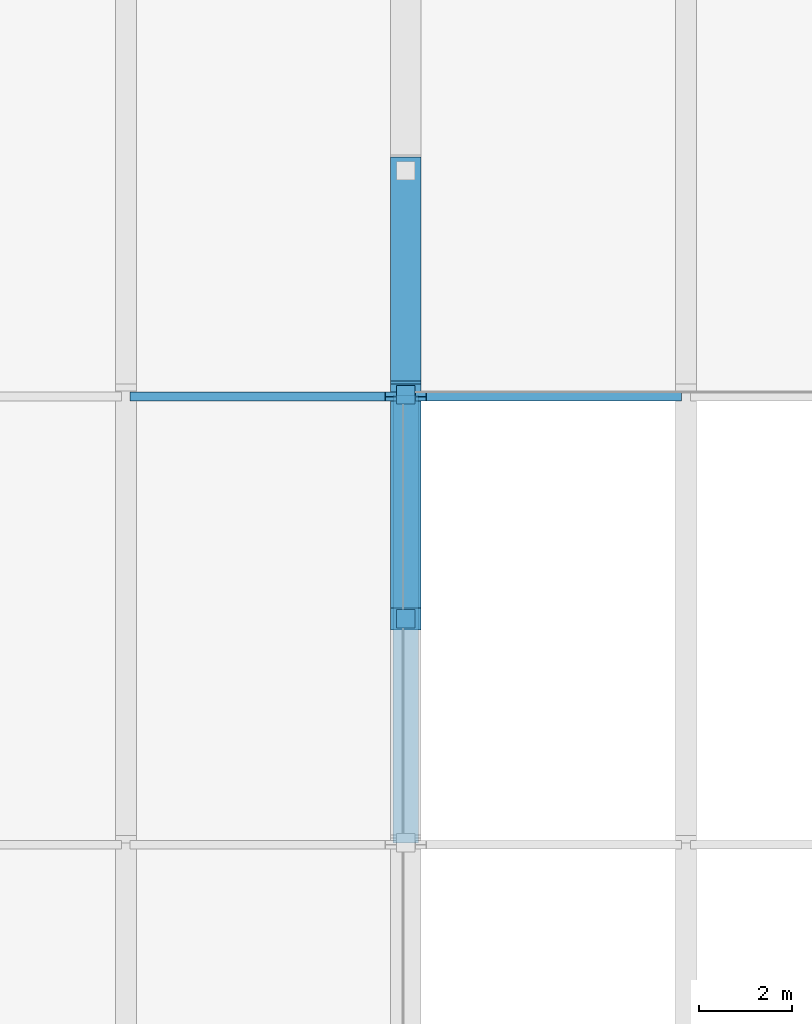
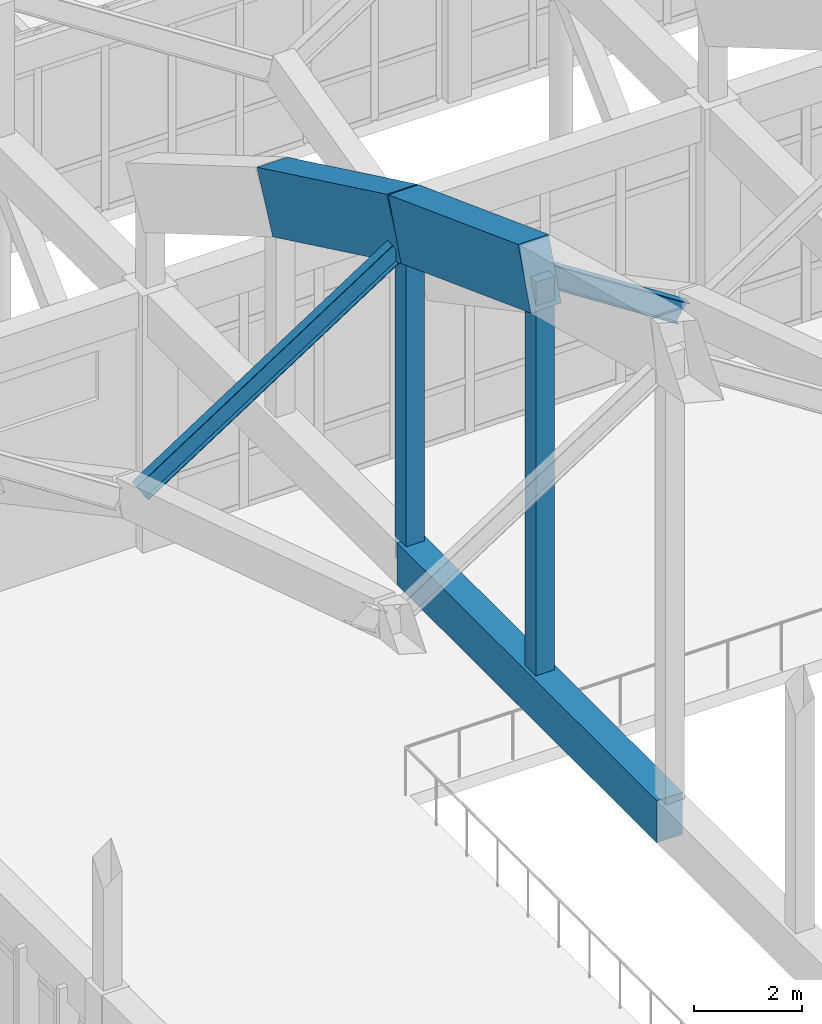
# One storey, part 69 of 236: 4 members, 3 beams.
"""IFC4 building model written with IfcOpenShell, lengths in metres."""

from ifc_helpers import new_model, si_unit, direction, frame, origin, origin_2d, place, context, subcontext, project, spatial, rectangle, i_section, extrude, material, material_profile, profile_set, type_object, element, save


model = new_model("IFC4")

# Units and contexts
model_context = context("Model", 3, precision=1e-05, world=origin(), true_north=direction((0.0, 1.0)))
body_context = subcontext(model_context, "Body", "Model", "MODEL_VIEW")
ifc_project = project(units=[si_unit("LENGTHUNIT", "METRE"), si_unit("AREAUNIT", "SQUARE_METRE"), si_unit("VOLUMEUNIT", "CUBIC_METRE"), si_unit("PLANEANGLEUNIT", "RADIAN"), si_unit("MASSUNIT", "GRAM", prefix="KILO")], contexts=[model_context])

# Site, building, storey
site_placement = place(None, origin())
site = spatial("IfcSite", under=ifc_project, at=site_placement, CompositionType="ELEMENT")
building_placement = place(site_placement, origin())
building = spatial("IfcBuilding", under=site, at=building_placement, Name="Pandanus Reach Market Hall", CompositionType="ELEMENT")
storey_placement = place(building_placement, frame((0.0, 0.0, 5.39990234375)))
storey = spatial("IfcBuildingStorey", under=building, at=storey_placement, Name="L01", CompositionType="ELEMENT", Elevation=5.39990234375)

# Members
ifc_material_1 = material(Name="Concrete N50 (50 MPa)", Category="concrete")
ifc_material_profile_1 = material_profile(ifc_material_1, rectangle(XDim=0.64990234375, YDim=1.35009765625, at=origin_2d()), Name="RC650x1350", Category="LoadBearing")
ifc_profile_set_1 = profile_set([ifc_material_profile_1], Name="Concrete N50 (50 MPa)")
member_type_1 = type_object("IfcMemberType", Name="AR-RC650-E", PredefinedType="CHORD", material=ifc_profile_set_1)
member_1_placement = place(storey_placement, frame((60.0, 72.0, 14.68017578125), z_axis=(0.0, 0.937030438748, -0.349247701294), x_axis=(-1.0, 0.0, 0.0)))
element("IfcMember", 1, at=member_1_placement, inside=storey, type_object=member_type_1, Name="Parabolic arch top chord A2.10", PredefinedType="CHORD", context=body_context, shape_type="SweptSolid", body=[
    extrude(rectangle(XDim=0.64990234375, YDim=1.35009765625, at=origin_2d()), origin(), (0.0, 0.0, 1.0), 5.12255859375),
])
member_2_placement = place(storey_placement, frame((60.0, 76.800048828125, 12.89111328125), z_axis=(0.0, 0.901832040997, -0.432086761924), x_axis=(-1.0, 0.0, 0.0)))
element("IfcMember", 2, at=member_2_placement, inside=storey, type_object=member_type_1, Name="Parabolic arch top chord A2.11", PredefinedType="CHORD", context=body_context, shape_type="SweptSolid", body=[
    extrude(rectangle(XDim=0.64990234375, YDim=1.35009765625, at=origin_2d()), origin(), (0.0, 0.0, 1.0), 5.322509765625),
])
ifc_material_profile_2 = material_profile(ifc_material_1, rectangle(XDim=0.39990234375, YDim=0.39990234375, at=origin_2d()), Name="RC400x400", Category="LoadBearing")
ifc_profile_set_2 = profile_set([ifc_material_profile_2], Name="Concrete N50 (50 MPa)")
member_type_2 = type_object("IfcMemberType", Name="AR-WEB400-E", PredefinedType="STRUT", material=ifc_profile_set_2)
member_3_placement = place(storey_placement, frame((60.0, 72.0, 5.3251953125), z_axis=(0.0, 0.0, 1.0), x_axis=(1.0, 0.0, 0.0)))
element("IfcMember", 3, at=member_3_placement, inside=storey, type_object=member_type_2, Name="Arch truss vertical web strut A2.9", PredefinedType="STRUT", context=body_context, shape_type="SweptSolid", body=[
    extrude(rectangle(XDim=0.39990234375, YDim=0.39990234375, at=origin_2d()), origin(), (0.0, 0.0, 1.0), 9.35498046875),
])
member_4_placement = place(storey_placement, frame((60.0, 76.800048828125, 5.3251953125), z_axis=(0.0, 0.0, 1.0), x_axis=(1.0, 0.0, 0.0)))
element("IfcMember", 4, at=member_4_placement, inside=storey, type_object=member_type_2, Name="Arch truss vertical web strut A2.10", PredefinedType="STRUT", context=body_context, shape_type="SweptSolid", body=[
    extrude(rectangle(XDim=0.39990234375, YDim=0.39990234375, at=origin_2d()), origin(), (0.0, 0.0, 1.0), 7.56591796875),
])

# Beams
ifc_material_profile_3 = material_profile(ifc_material_1, rectangle(XDim=0.550048828125, YDim=0.949951171875, at=origin_2d()), Name="RC550x950", Category="LoadBearing")
ifc_profile_set_3 = profile_set([ifc_material_profile_3], Name="Concrete N50 (50 MPa)")
beam_type_1 = type_object("IfcBeamType", Name="BM-RC550-I", PredefinedType="BEAM", material=ifc_profile_set_3)
beam_placement = place(storey_placement, frame((60.0, 67.199951171875, 5.3251953125), z_axis=(0.0, 1.0, 0.0), x_axis=(-1.0, 0.0, 0.0)))
element("IfcBeam", 5, at=beam_placement, inside=storey, type_object=beam_type_1, Name="Parabolic arch tie girder A2.5", PredefinedType="BEAM", context=body_context, shape_type="SweptSolid", body=[
    extrude(rectangle(XDim=0.550048828125, YDim=0.949951171875, at=origin_2d()), origin(), (0.0, 0.0, 1.0), 9.60009765625),
])
ifc_material_2 = material(Name="Steel Grade 350 (350 MPa)", Category="steel")
ifc_material_profile_4 = material_profile(ifc_material_2, i_section(OverallWidth=0.18994140625, OverallDepth=0.45703125, WebThickness=0.009033203125, FlangeThickness=0.014404296875, at=origin_2d()), Name="460UB74.6", Category="LoadBearing")
ifc_profile_set_4 = profile_set([ifc_material_profile_4], Name="Steel Grade 350 (350 MPa)")
beam_type_2 = type_object("IfcBeamType", Name="BM-UB460-I", PredefinedType="BEAM", material=ifc_profile_set_4)
for number, where, z_axis, x_axis, name in (
    (6, (54.219970703125, 76.760009765625, 8.918212890625), (0.839070527962, 0.0, 0.544022654956), (0.0, 1.0, 0.0), "Butterfly transverse rib B1.6R"),
    (7, (60.320068359375, 76.760009765625, 12.458251953125), (0.839070527962, 0.0, -0.544022654956), (0.0, 1.0, 0.0), "Butterfly transverse rib B2.6L"),
):
    element("IfcBeam", number, at=place(storey_placement, frame(where, z_axis=z_axis, x_axis=x_axis)), inside=storey, type_object=beam_type_2, Name=name, PredefinedType="BEAM", context=body_context, shape_type="SweptSolid", body=[
        extrude(i_section(OverallWidth=0.18994140625, OverallDepth=0.45703125, WebThickness=0.009033203125, FlangeThickness=0.014404296875, at=origin_2d()), origin(), (0.0, 0.0, 1.0), 6.507080078125),
    ])

save(model, "model.ifc")
